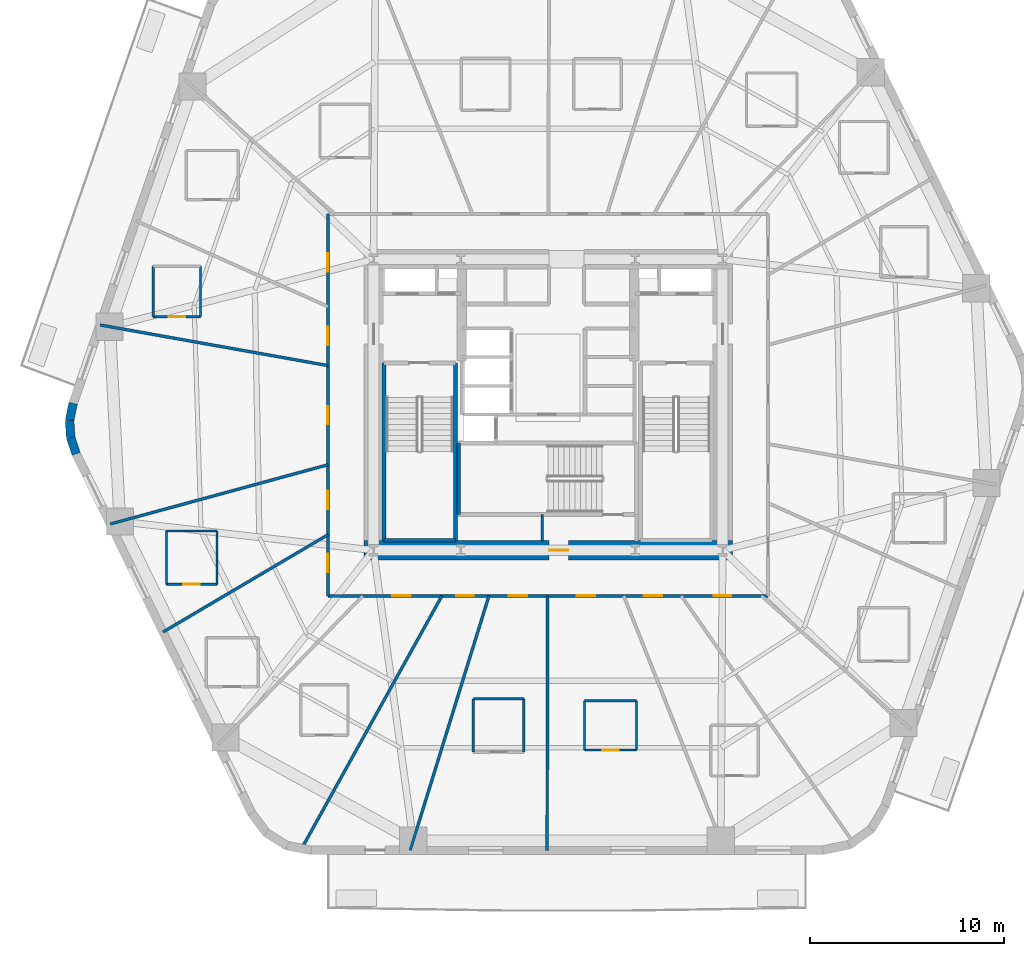
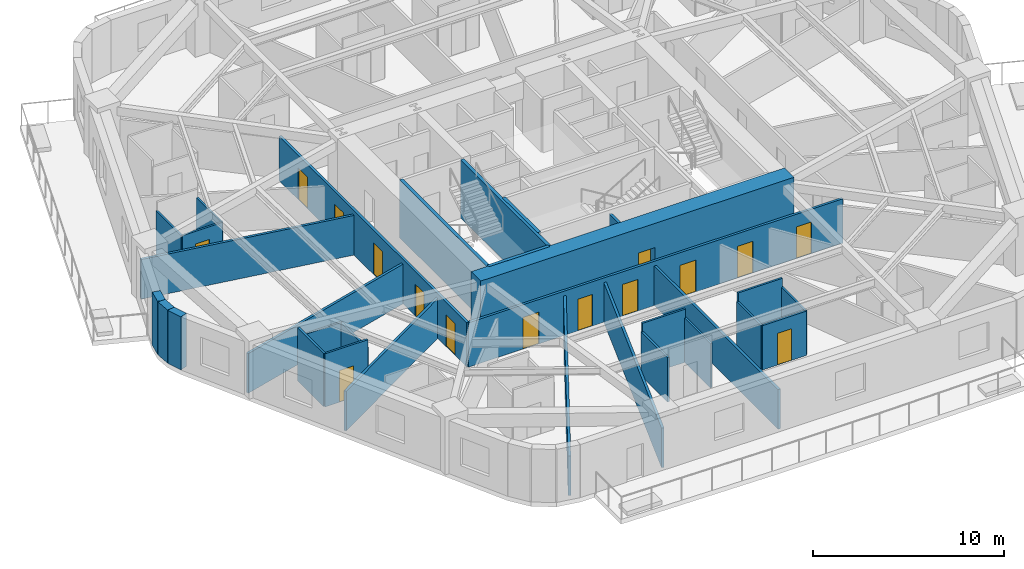
# One storey, part 3 of 11: 31 walls, 15 doors, 15 openings.
"""IFC4 building model written with IfcOpenShell, lengths in metres."""

import ifcopenshell
import ifcopenshell.guid

model = None  # the IFC model being written
_history = None  # IfcOwnerHistory: only IFC2X3 demands one
_inside = {}  # id of a spatial element -> (the spatial element, [elements in it])
_under = {}  # id of a project, library or spatial element -> (it, [spatial elements below it])
_declared = {}  # id of a project -> (the project, [libraries it declares])
_typed = {}  # id of a type object -> (the type object, [elements of that type])
_made_of = {}  # id of a material, layer set ... -> (it, [elements and type objects made of it])


def new_model(schema):
    """Start an empty IFC model of exactly this schema.

    Asked for "IFC4X3", IfcOpenShell would pick the latest addendum, in which some entities
    have other attributes; the version numbers below select the first issue.
    IFC2X3 requires an IfcOwnerHistory on every rooted entity: one is made here for all.
    """
    global model, _history
    if schema == "IFC4X3":
        model = ifcopenshell.file(schema_version=(4, 3, 0, 0))
    else:
        model = ifcopenshell.file(schema=schema)
    _inside.clear()
    _under.clear()
    _declared.clear()
    _typed.clear()
    _made_of.clear()
    _history = None
    if model.schema == "IFC2X3":
        org = make("IfcOrganization", Name="unknown")
        user = make(
            "IfcPersonAndOrganization",
            ThePerson=make("IfcPerson", FamilyName="unknown"),
            TheOrganization=org,
        )
        app = make(
            "IfcApplication",
            ApplicationDeveloper=org,
            Version="unknown",
            ApplicationFullName="unknown",
            ApplicationIdentifier="unknown",
        )
        _history = make(
            "IfcOwnerHistory",
            OwningUser=user,
            OwningApplication=app,
            ChangeAction="ADDED",
            CreationDate=0,
        )
    return model


def make(cls, **values):
    """One entity of the class cls with the attributes given. An attribute that is None is left unset."""
    return model.create_entity(
        cls, **{name: value for name, value in values.items() if value is not None}
    )


def rooted(cls, **values):
    """An entity with a GlobalId (a new one), such as an element, a storey or a relation."""
    return make(cls, GlobalId=ifcopenshell.guid.new(), OwnerHistory=_history, **values)


def si_unit(unit_type, name, prefix=None):
    """IfcSIUnit, for example si_unit("LENGTHUNIT", "METRE", prefix="MILLI")."""
    return make("IfcSIUnit", UnitType=unit_type, Prefix=prefix, Name=name)


def assignment(units):
    """IfcUnitAssignment: the units of a project."""
    return None if units is None else make("IfcUnitAssignment", Units=units)


def point(xyz):
    """IfcCartesianPoint."""
    return None if xyz is None else make("IfcCartesianPoint", Coordinates=xyz)


def direction(xyz):
    """IfcDirection."""
    return None if xyz is None else make("IfcDirection", DirectionRatios=xyz)


def frame(location, z_axis=None, x_axis=None):
    """IfcAxis2Placement3D, a coordinate frame: its origin and axes. An axis left out is left unset."""
    return make(
        "IfcAxis2Placement3D",
        Location=point(location),
        Axis=direction(z_axis),
        RefDirection=direction(x_axis),
    )


def frame_2d(location, x_axis=None):
    """IfcAxis2Placement2D, a coordinate frame in the plane: its origin and x axis."""
    return make(
        "IfcAxis2Placement2D", Location=point(location), RefDirection=direction(x_axis)
    )


def origin():
    """The frame at (0, 0, 0) with its axes left unset."""
    return frame((0.0, 0.0, 0.0))


def place(relative_to, where):
    """IfcLocalPlacement: puts the frame where relative to a parent placement (None: the world)."""
    return make(
        "IfcLocalPlacement", PlacementRelTo=relative_to, RelativePlacement=where
    )


def context(
    kind, dimensions, precision=None, world=None, true_north=None, identifier=None
):
    """IfcGeometricRepresentationContext, for example the 3D "Model" context."""
    return make(
        "IfcGeometricRepresentationContext",
        ContextIdentifier=identifier,
        ContextType=kind,
        CoordinateSpaceDimension=dimensions,
        Precision=precision,
        WorldCoordinateSystem=world,
        TrueNorth=true_north,
    )


def subcontext(parent, identifier, kind, view, scale=None):
    """IfcGeometricRepresentationSubContext, for example "Body" below "Model"."""
    return make(
        "IfcGeometricRepresentationSubContext",
        ContextIdentifier=identifier,
        ContextType=kind,
        ParentContext=parent,
        TargetScale=scale,
        TargetView=view,
    )


def project(units=None, contexts=None):
    """IfcProject with its units and contexts."""
    return rooted(
        "IfcProject",
        Name="project",
        RepresentationContexts=contexts,
        UnitsInContext=assignment(units),
    )


def spatial(cls, under=None, at=None, **own):
    """A site, building, storey or space (cls), placed at a placement, below another one or the project."""
    s = rooted(cls, ObjectPlacement=at, **own)
    if under is not None:
        _under.setdefault(under.id(), (under, []))[1].append(s)
    return s


def profile(cls, at=None, kind="AREA", **sizes):
    """A parametric profile (cls). Its sizes go by their IFC names, for example OverallWidth=200.0."""
    return make(cls, ProfileType=kind, Position=at, **sizes)


def rectangle(**sizes):
    """IfcRectangleProfileDef."""
    return profile("IfcRectangleProfileDef", **sizes)


def extrude(swept, where, along, depth):
    """IfcExtrudedAreaSolid: the profile swept, set in the frame where, extruded along a direction by depth."""
    return make(
        "IfcExtrudedAreaSolid",
        SweptArea=swept,
        Position=where,
        ExtrudedDirection=direction(along),
        Depth=depth,
    )


def shape(context_of_items, identifier, shape_type, items):
    """IfcShapeRepresentation: the items that make up one representation, for example the "Body"."""
    return make(
        "IfcShapeRepresentation",
        ContextOfItems=context_of_items,
        RepresentationIdentifier=identifier,
        RepresentationType=shape_type,
        Items=items,
    )


def material(Name=None, Category=None):
    """IfcMaterial."""
    return make("IfcMaterial", Name=Name, Category=Category)


def layer(
    of_material, thickness, ventilated=None, Name=None, Category=None, Priority=None
):
    """IfcMaterialLayer: one layer of a wall or slab, of a material (None: an air gap)."""
    return make(
        "IfcMaterialLayer",
        Material=of_material,
        LayerThickness=thickness,
        IsVentilated=ventilated,
        Name=Name,
        Category=Category,
        Priority=Priority,
    )


def layer_set(layers, Name=None):
    """IfcMaterialLayerSet."""
    return make("IfcMaterialLayerSet", MaterialLayers=layers, LayerSetName=Name)


def made_of(thing, what):
    """Note that an element or type object is made of a material, layer set ...; save() writes the relation."""
    if what is not None:
        _made_of.setdefault(what.id(), (what, []))[1].append(thing)
    return thing


def type_object(cls, material=None, **own):
    """A type object (cls), such as IfcWallType, which elements share."""
    return made_of(rooted(cls, **own), material)


def element(
    cls,
    number,
    at=None,
    inside=None,
    cuts=None,
    type_object=None,
    material=None,
    context=None,
    identifier="Body",
    shape_type=None,
    held_by="IfcProductDefinitionShape",
    body=None,
    shapes=None,
    **own,
):
    """One element of the class cls, such as IfcWall. Its Tag is "e" and its number.

    at: its placement. inside: the storey or other place that contains it. cuts: it is an
    opening in that element (IfcRelVoidsElement). A single representation is given by context,
    identifier, shape_type and body (its items); several are given by shapes. held_by: the class
    of the entity that holds the representations. save() writes the other relations.
    """
    e = rooted(cls, Tag="e%d" % number, ObjectPlacement=at, **own)
    if body is not None:
        shapes = [shape(context, identifier, shape_type, body)]
    if shapes is not None:
        e.Representation = make(held_by, Representations=shapes)
    if inside is not None:
        _inside.setdefault(inside.id(), (inside, []))[1].append(e)
    if cuts is not None:
        rooted(
            "IfcRelVoidsElement", RelatingBuildingElement=cuts, RelatedOpeningElement=e
        )
    if type_object is not None:
        _typed.setdefault(type_object.id(), (type_object, []))[1].append(e)
    return made_of(e, material)


def fill(opening, filler):
    """IfcRelFillsElement: the door or window that sits in an opening."""
    return rooted(
        "IfcRelFillsElement",
        RelatingOpeningElement=opening,
        RelatedBuildingElement=filler,
    )


def aggregate(whole, parts):
    """IfcRelAggregates: a whole, such as a stair, and the parts it consists of."""
    return rooted("IfcRelAggregates", RelatingObject=whole, RelatedObjects=parts)


def save(model, path):
    """Write the relations noted so far, then the file.

    IfcRelAggregates (storeys below a building ...), IfcRelContainedInSpatialStructure (elements
    in a storey), IfcRelDefinesByType, IfcRelAssociatesMaterial and IfcRelDeclares: one each for
    every whole, place, type object, material and project.
    """
    for whole, parts in _under.values():
        aggregate(whole, parts)
    for where, things in _inside.values():
        rooted(
            "IfcRelContainedInSpatialStructure",
            RelatedElements=things,
            RelatingStructure=where,
        )
    for kind, things in _typed.values():
        rooted("IfcRelDefinesByType", RelatedObjects=things, RelatingType=kind)
    for what, things in _made_of.values():
        rooted("IfcRelAssociatesMaterial", RelatedObjects=things, RelatingMaterial=what)
    for by, libraries in _declared.values():
        rooted("IfcRelDeclares", RelatingContext=by, RelatedDefinitions=libraries)
    model.write(path)


model = new_model("IFC4")

# Units and contexts
model_context = context("Model", 3, precision=1e-05, world=origin(), true_north=direction((0.0, 1.0)))
body_context = subcontext(model_context, "Body", "Model", "MODEL_VIEW")
ifc_project = project(units=[si_unit("LENGTHUNIT", "METRE"), si_unit("AREAUNIT", "SQUARE_METRE"), si_unit("VOLUMEUNIT", "CUBIC_METRE"), si_unit("PLANEANGLEUNIT", "RADIAN"), si_unit("MASSUNIT", "GRAM", prefix="KILO")], contexts=[model_context])

# Site, building, storey
site_placement = place(None, origin())
site = spatial("IfcSite", under=ifc_project, at=site_placement, CompositionType="ELEMENT")
building_placement = place(site_placement, origin())
building = spatial("IfcBuilding", under=site, at=building_placement, Name="Kilnhurst Terrace Hotel", CompositionType="ELEMENT")
storey_placement = place(building_placement, frame((0.0, 0.0, 37.89990234375)))
storey = spatial("IfcBuildingStorey", under=building, at=storey_placement, Name="L07", CompositionType="ELEMENT", Elevation=37.89990234375)

# Walls
ifc_material_1 = material(Name="Precast concrete C40/50", Category="concrete")
ifc_layer_1 = layer(ifc_material_1, 0.449951171875, Name="Precast concrete C40/50")
ifc_layer_set_1 = layer_set([ifc_layer_1], Name="Precast concrete C40/50")
wall_type_1 = type_object("IfcWallType", Name="WL-BRK-450", PredefinedType="SOLIDWALL", material=ifc_layer_set_1)
wall_1_placement = place(storey_placement, frame((-24.49560546875, 0.07666015625, 0.0), z_axis=(0.0, 0.0, 1.0), x_axis=(-0.199570594521, -0.979883451132, 0.0)))
element("IfcWall", 1, at=wall_1_placement, inside=storey, type_object=wall_type_1, Name="L07 Rounded Corner Brick Wall C6.1", PredefinedType="SOLIDWALL", context=body_context, shape_type="SweptSolid", body=[
    extrude(rectangle(XDim=0.896728515625, YDim=0.449951171875, at=frame_2d((0.4482421875, 0.0))), origin(), (0.0, 0.0, 1.0), 3.400146484375),
])
wall_2_placement = place(storey_placement, frame((-24.674560546875, -0.802001953125, 0.0), z_axis=(0.0, 0.0, 1.0), x_axis=(0.061188874166, -0.998126205286, 0.0)))
element("IfcWall", 2, at=wall_2_placement, inside=storey, type_object=wall_type_1, Name="L07 Rounded Corner Brick Wall C6.2", PredefinedType="SOLIDWALL", context=body_context, shape_type="SweptSolid", body=[
    extrude(rectangle(XDim=0.8818359375, YDim=0.449951171875, at=frame_2d((0.44091796875, 0.0))), origin(), (0.0, 0.0, 1.0), 3.400146484375),
])
wall_3_placement = place(storey_placement, frame((-24.62060546875, -1.68212890625, 0.0), z_axis=(0.0, 0.0, 1.0), x_axis=(0.317697451681, -0.948192137278, 0.0)))
element("IfcWall", 3, at=wall_3_placement, inside=storey, type_object=wall_type_1, Name="L07 Rounded Corner Brick Wall C6.3", PredefinedType="SOLIDWALL", context=body_context, shape_type="SweptSolid", body=[
    extrude(rectangle(XDim=0.896728515625, YDim=0.449951171875, at=frame_2d((0.4482421875, 0.0))), origin(), (0.0, 0.0, 1.0), 3.400146484375),
])

# Wall, openings, doors
ifc_material_2 = material(Name="Acoustic Double-Gypsum Corridor Partition Assembly")
ifc_layer_2 = layer(ifc_material_2, 0.14990234375, Name="Acoustic Double-Gypsum Corridor Partition Assembly")
ifc_layer_set_2 = layer_set([ifc_layer_2], Name="Acoustic Double-Gypsum Corridor Partition Assembly")
wall_type_2 = type_object("IfcWallType", Name="WL-COR-150", PredefinedType="PARTITIONING", material=ifc_layer_set_2)
wall_4_placement = place(storey_placement, frame((-11.35009765625, -9.85009765625, 0.0), z_axis=(0.0, 0.0, 1.0), x_axis=(0.0, 1.0, 0.0)))
wall_4 = element("IfcWall", 4, at=wall_4_placement, inside=storey, type_object=wall_type_2, Name="L07 Interior Wall WL-L07-COR-01", PredefinedType="PARTITIONING", context=body_context, shape_type="SweptSolid", body=[
    extrude(rectangle(XDim=19.7001953125, YDim=0.14990234375, at=frame_2d((9.85009765625, 0.0))), origin(), (0.0, 0.0, 1.0), 2.840087890625),
])
opening_1_placement = place(wall_4_placement, frame((16.714111328125, 0.0, 0.0)))
opening_1 = element("IfcOpeningElement", 5, at=opening_1_placement, cuts=wall_4, Name="Opening D-60B", PredefinedType="OPENING", context=body_context, shape_type="SweptSolid", body=[
    extrude(rectangle(XDim=0.949951171875, YDim=2.030029296875, at=frame_2d((0.47509765625, 1.01513671875))), frame((0.0, 0.0849609375, 0.0), z_axis=(0.0, -1.0, 0.0), x_axis=(1.0, 0.0, 0.0)), (0.0, 0.0, 1.0), 0.169921875),
])
opening_2_placement = place(wall_4_placement, frame((12.931884765625, 0.0, 0.0)))
opening_2 = element("IfcOpeningElement", 6, at=opening_2_placement, cuts=wall_4, Name="Opening D-60B", PredefinedType="OPENING", context=body_context, shape_type="SweptSolid", body=[
    extrude(rectangle(XDim=0.949951171875, YDim=2.030029296875, at=frame_2d((0.47509765625, 1.01513671875))), frame((0.0, 0.0849609375, 0.0), z_axis=(0.0, -1.0, 0.0), x_axis=(1.0, 0.0, 0.0)), (0.0, 0.0, 1.0), 0.169921875),
])
opening_3_placement = place(wall_4_placement, frame((8.837890625, 0.0, 0.0)))
opening_3 = element("IfcOpeningElement", 7, at=opening_3_placement, cuts=wall_4, Name="Opening D-60B", PredefinedType="OPENING", context=body_context, shape_type="SweptSolid", body=[
    extrude(rectangle(XDim=0.949951171875, YDim=2.030029296875, at=frame_2d((0.47509765625, 1.01513671875))), frame((0.0, 0.0849609375, 0.0), z_axis=(0.0, -1.0, 0.0), x_axis=(1.0, 0.0, 0.0)), (0.0, 0.0, 1.0), 0.169921875),
])
opening_4_placement = place(wall_4_placement, frame((4.4609375, 0.0, 0.0)))
opening_4 = element("IfcOpeningElement", 8, at=opening_4_placement, cuts=wall_4, Name="Opening D-60B", PredefinedType="OPENING", context=body_context, shape_type="SweptSolid", body=[
    extrude(rectangle(XDim=0.949951171875, YDim=2.030029296875, at=frame_2d((0.47509765625, 1.01513671875))), frame((0.0, 0.0849609375, 0.0), z_axis=(0.0, -1.0, 0.0), x_axis=(1.0, 0.0, 0.0)), (0.0, 0.0, 1.0), 0.169921875),
])
opening_5_placement = place(wall_4_placement, frame((1.220947265625, 0.0, 0.0)))
opening_5 = element("IfcOpeningElement", 9, at=opening_5_placement, cuts=wall_4, Name="Opening D-60B", PredefinedType="OPENING", context=body_context, shape_type="SweptSolid", body=[
    extrude(rectangle(XDim=0.949951171875, YDim=2.030029296875, at=frame_2d((0.47509765625, 1.01513671875))), frame((0.0, 0.0849609375, 0.0), z_axis=(0.0, -1.0, 0.0), x_axis=(1.0, 0.0, 0.0)), (0.0, 0.0, 1.0), 0.169921875),
])
ifc_material_3 = material(Name="Acoustic Walnut Veneer Solid-Core Fire Door")
door_type_1 = type_object("IfcDoorType", Name="DR-FD60-950", OperationType="NOTDEFINED", PredefinedType="DOOR", material=ifc_material_3)
door_1_placement = place(opening_1_placement, origin())
door_1 = element("IfcDoor", 10, at=door_1_placement, inside=storey, type_object=door_type_1, Name="L07 Guest Room Entry Door 8", OperationType="SINGLE_SWING_RIGHT", OverallHeight=2.030029296875, OverallWidth=0.949951171875, PredefinedType="DOOR", context=body_context, shape_type="SweptSolid", body=[
    extrude(rectangle(XDim=0.949951171875, YDim=2.030029296875, at=frame_2d((0.47509765625, 1.01513671875))), frame((0.0, 0.02490234375, 0.0), z_axis=(0.0, -1.0, 0.0), x_axis=(1.0, 0.0, 0.0)), (0.0, 0.0, 1.0), 0.050048828125),
])
fill(opening_1, door_1)
door_2_placement = place(opening_2_placement, origin())
door_2 = element("IfcDoor", 11, at=door_2_placement, inside=storey, type_object=door_type_1, Name="L07 Guest Room Entry Door 9", OperationType="SINGLE_SWING_LEFT", OverallHeight=2.030029296875, OverallWidth=0.949951171875, PredefinedType="DOOR", context=body_context, shape_type="SweptSolid", body=[
    extrude(rectangle(XDim=0.949951171875, YDim=2.030029296875, at=frame_2d((0.47509765625, 1.01513671875))), frame((0.0, 0.02490234375, 0.0), z_axis=(0.0, -1.0, 0.0), x_axis=(1.0, 0.0, 0.0)), (0.0, 0.0, 1.0), 0.050048828125),
])
fill(opening_2, door_2)
door_3_placement = place(opening_3_placement, origin())
door_3 = element("IfcDoor", 12, at=door_3_placement, inside=storey, type_object=door_type_1, Name="L07 Club Reading Lounge Door", OperationType="SINGLE_SWING_RIGHT", OverallHeight=2.030029296875, OverallWidth=0.949951171875, PredefinedType="DOOR", context=body_context, shape_type="SweptSolid", body=[
    extrude(rectangle(XDim=0.949951171875, YDim=2.030029296875, at=frame_2d((0.47509765625, 1.01513671875))), frame((0.0, 0.02490234375, 0.0), z_axis=(0.0, -1.0, 0.0), x_axis=(1.0, 0.0, 0.0)), (0.0, 0.0, 1.0), 0.050048828125),
])
fill(opening_3, door_3)
door_4_placement = place(opening_4_placement, origin())
door_4 = element("IfcDoor", 13, at=door_4_placement, inside=storey, type_object=door_type_1, Name="L07 Guest Room Entry Door 11", OperationType="SINGLE_SWING_LEFT", OverallHeight=2.030029296875, OverallWidth=0.949951171875, PredefinedType="DOOR", context=body_context, shape_type="SweptSolid", body=[
    extrude(rectangle(XDim=0.949951171875, YDim=2.030029296875, at=frame_2d((0.47509765625, 1.01513671875))), frame((0.0, 0.02490234375, 0.0), z_axis=(0.0, -1.0, 0.0), x_axis=(1.0, 0.0, 0.0)), (0.0, 0.0, 1.0), 0.050048828125),
])
fill(opening_4, door_4)
door_5_placement = place(opening_5_placement, origin())
door_5 = element("IfcDoor", 14, at=door_5_placement, inside=storey, type_object=door_type_1, Name="L07 Guest Room Entry Door 12", OperationType="SINGLE_SWING_RIGHT", OverallHeight=2.030029296875, OverallWidth=0.949951171875, PredefinedType="DOOR", context=body_context, shape_type="SweptSolid", body=[
    extrude(rectangle(XDim=0.949951171875, YDim=2.030029296875, at=frame_2d((0.47509765625, 1.01513671875))), frame((0.0, 0.02490234375, 0.0), z_axis=(0.0, -1.0, 0.0), x_axis=(1.0, 0.0, 0.0)), (0.0, 0.0, 1.0), 0.050048828125),
])
fill(opening_5, door_5)

wall_5_placement = place(storey_placement, frame((11.35009765625, -9.85009765625, 0.0), z_axis=(0.0, 0.0, 1.0), x_axis=(-1.0, 0.0, 0.0)))
wall_5 = element("IfcWall", 15, at=wall_5_placement, inside=storey, type_object=wall_type_2, Name="L07 Interior Wall WL-L07-COR-04", PredefinedType="PARTITIONING", context=body_context, shape_type="SweptSolid", body=[
    extrude(rectangle(XDim=22.7001953125, YDim=0.14990234375, at=frame_2d((11.35009765625, 0.0))), origin(), (0.0, 0.0, 1.0), 2.840087890625),
])
opening_6_placement = place(wall_5_placement, frame((18.43603515625, 0.0, 0.0)))
opening_6 = element("IfcOpeningElement", 16, at=opening_6_placement, cuts=wall_5, Name="Opening D-60B", PredefinedType="OPENING", context=body_context, shape_type="SweptSolid", body=[
    extrude(rectangle(XDim=0.949951171875, YDim=2.030029296875, at=frame_2d((0.47509765625, 1.01513671875))), frame((0.0, 0.0849609375, 0.0), z_axis=(0.0, -1.0, 0.0), x_axis=(1.0, 0.0, 0.0)), (0.0, 0.0, 1.0), 0.169921875),
])
opening_7_placement = place(wall_5_placement, frame((15.176025390625, 0.0, 0.0)))
opening_7 = element("IfcOpeningElement", 17, at=opening_7_placement, cuts=wall_5, Name="Opening D-60C", PredefinedType="OPENING", context=body_context, shape_type="SweptSolid", body=[
    extrude(rectangle(XDim=0.89990234375, YDim=2.030029296875, at=frame_2d((0.449951171875, 1.01513671875))), frame((0.0, 0.0849609375, 0.0), z_axis=(0.0, -1.0, 0.0), x_axis=(1.0, 0.0, 0.0)), (0.0, 0.0, 1.0), 0.169921875),
])
opening_8_placement = place(wall_5_placement, frame((12.4150390625, 0.0, 0.0)))
opening_8 = element("IfcOpeningElement", 18, at=opening_8_placement, cuts=wall_5, Name="Opening D-60B", PredefinedType="OPENING", context=body_context, shape_type="SweptSolid", body=[
    extrude(rectangle(XDim=0.949951171875, YDim=2.030029296875, at=frame_2d((0.47509765625, 1.01513671875))), frame((0.0, 0.0849609375, 0.0), z_axis=(0.0, -1.0, 0.0), x_axis=(1.0, 0.0, 0.0)), (0.0, 0.0, 1.0), 0.169921875),
])
opening_9_placement = place(wall_5_placement, frame((8.925048828125, 0.0, 0.0)))
opening_9 = element("IfcOpeningElement", 19, at=opening_9_placement, cuts=wall_5, Name="Opening D-60B", PredefinedType="OPENING", context=body_context, shape_type="SweptSolid", body=[
    extrude(rectangle(XDim=0.949951171875, YDim=2.030029296875, at=frame_2d((0.47509765625, 1.01513671875))), frame((0.0, 0.0849609375, 0.0), z_axis=(0.0, -1.0, 0.0), x_axis=(1.0, 0.0, 0.0)), (0.0, 0.0, 1.0), 0.169921875),
])
opening_10_placement = place(wall_5_placement, frame((5.462890625, 0.0, 0.0)))
opening_10 = element("IfcOpeningElement", 20, at=opening_10_placement, cuts=wall_5, Name="Opening D-60B", PredefinedType="OPENING", context=body_context, shape_type="SweptSolid", body=[
    extrude(rectangle(XDim=0.949951171875, YDim=2.030029296875, at=frame_2d((0.47509765625, 1.01513671875))), frame((0.0, 0.0849609375, 0.0), z_axis=(0.0, -1.0, 0.0), x_axis=(1.0, 0.0, 0.0)), (0.0, 0.0, 1.0), 0.169921875),
])
opening_11_placement = place(wall_5_placement, frame((1.909912109375, 0.0, 0.0)))
opening_11 = element("IfcOpeningElement", 21, at=opening_11_placement, cuts=wall_5, Name="Opening D-60C", PredefinedType="OPENING", context=body_context, shape_type="SweptSolid", body=[
    extrude(rectangle(XDim=0.89990234375, YDim=2.030029296875, at=frame_2d((0.449951171875, 1.01513671875))), frame((0.0, 0.0849609375, 0.0), z_axis=(0.0, -1.0, 0.0), x_axis=(1.0, 0.0, 0.0)), (0.0, 0.0, 1.0), 0.169921875),
])
ifc_material_4 = material(Name="Painted Solid-Core Service Fire Door")
door_type_2 = type_object("IfcDoorType", Name="DR-FD60-900", OperationType="NOTDEFINED", PredefinedType="DOOR", material=ifc_material_4)
door_6_placement = place(opening_7_placement, origin())
door_6 = element("IfcDoor", 22, at=door_6_placement, inside=storey, type_object=door_type_2, Name="L07 Executive Work Office Door 14", OperationType="SINGLE_SWING_RIGHT", OverallHeight=2.030029296875, OverallWidth=0.89990234375, PredefinedType="DOOR", context=body_context, shape_type="SweptSolid", body=[
    extrude(rectangle(XDim=0.89990234375, YDim=2.030029296875, at=frame_2d((0.449951171875, 1.01513671875))), frame((0.0, 0.02490234375, 0.0), z_axis=(0.0, -1.0, 0.0), x_axis=(1.0, 0.0, 0.0)), (0.0, 0.0, 1.0), 0.050048828125),
])
fill(opening_7, door_6)
door_7_placement = place(opening_11_placement, origin())
door_7 = element("IfcDoor", 23, at=door_7_placement, inside=storey, type_object=door_type_2, Name="L07 Botanical Reading Lounge Door 18", OperationType="SINGLE_SWING_RIGHT", OverallHeight=2.030029296875, OverallWidth=0.89990234375, PredefinedType="DOOR", context=body_context, shape_type="SweptSolid", body=[
    extrude(rectangle(XDim=0.89990234375, YDim=2.030029296875, at=frame_2d((0.449951171875, 1.01513671875))), frame((0.0, 0.02490234375, 0.0), z_axis=(0.0, -1.0, 0.0), x_axis=(1.0, 0.0, 0.0)), (0.0, 0.0, 1.0), 0.050048828125),
])
fill(opening_11, door_7)
door_8_placement = place(opening_6_placement, origin())
door_8 = element("IfcDoor", 24, at=door_8_placement, inside=storey, type_object=door_type_1, Name="L07 Guest Room Entry Door 13", OperationType="SINGLE_SWING_LEFT", OverallHeight=2.030029296875, OverallWidth=0.949951171875, PredefinedType="DOOR", context=body_context, shape_type="SweptSolid", body=[
    extrude(rectangle(XDim=0.949951171875, YDim=2.030029296875, at=frame_2d((0.47509765625, 1.01513671875))), frame((0.0, 0.02490234375, 0.0), z_axis=(0.0, -1.0, 0.0), x_axis=(1.0, 0.0, 0.0)), (0.0, 0.0, 1.0), 0.050048828125),
])
fill(opening_6, door_8)
door_9_placement = place(opening_8_placement, origin())
door_9 = element("IfcDoor", 25, at=door_9_placement, inside=storey, type_object=door_type_1, Name="L07 Guest Room Entry Door 15", OperationType="SINGLE_SWING_LEFT", OverallHeight=2.030029296875, OverallWidth=0.949951171875, PredefinedType="DOOR", context=body_context, shape_type="SweptSolid", body=[
    extrude(rectangle(XDim=0.949951171875, YDim=2.030029296875, at=frame_2d((0.47509765625, 1.01513671875))), frame((0.0, 0.02490234375, 0.0), z_axis=(0.0, -1.0, 0.0), x_axis=(1.0, 0.0, 0.0)), (0.0, 0.0, 1.0), 0.050048828125),
])
fill(opening_8, door_9)
door_10_placement = place(opening_9_placement, origin())
door_10 = element("IfcDoor", 26, at=door_10_placement, inside=storey, type_object=door_type_1, Name="L07 Executive Suite Entry Door 16", OperationType="SINGLE_SWING_RIGHT", OverallHeight=2.030029296875, OverallWidth=0.949951171875, PredefinedType="DOOR", context=body_context, shape_type="SweptSolid", body=[
    extrude(rectangle(XDim=0.949951171875, YDim=2.030029296875, at=frame_2d((0.47509765625, 1.01513671875))), frame((0.0, 0.02490234375, 0.0), z_axis=(0.0, -1.0, 0.0), x_axis=(1.0, 0.0, 0.0)), (0.0, 0.0, 1.0), 0.050048828125),
])
fill(opening_9, door_10)
door_11_placement = place(opening_10_placement, origin())
door_11 = element("IfcDoor", 27, at=door_11_placement, inside=storey, type_object=door_type_1, Name="L07 Guest Room Entry Door 17", OperationType="SINGLE_SWING_LEFT", OverallHeight=2.030029296875, OverallWidth=0.949951171875, PredefinedType="DOOR", context=body_context, shape_type="SweptSolid", body=[
    extrude(rectangle(XDim=0.949951171875, YDim=2.030029296875, at=frame_2d((0.47509765625, 1.01513671875))), frame((0.0, 0.02490234375, 0.0), z_axis=(0.0, -1.0, 0.0), x_axis=(1.0, 0.0, 0.0)), (0.0, 0.0, 1.0), 0.050048828125),
])
fill(opening_10, door_11)

# Wall, opening, door
ifc_material_5 = material(Name="Concrete C80/95", Category="concrete")
ifc_layer_3 = layer(ifc_material_5, 1.0, Name="Concrete C80/95")
ifc_layer_set_3 = layer_set([ifc_layer_3], Name="Concrete C80/95")
wall_type_3 = type_object("IfcWallType", Name="WL-CORE-1000", PredefinedType="SHEAR", material=ifc_layer_set_3)
wall_6_placement = place(storey_placement, frame((-9.5, -7.5, 0.0), z_axis=(0.0, 0.0, 1.0), x_axis=(1.0, 0.0, 0.0)))
wall_6 = element("IfcWall", 28, at=wall_6_placement, inside=storey, type_object=wall_type_3, Name="L07 Core South Shear Wall", PredefinedType="SHEAR", context=body_context, shape_type="SweptSolid", body=[
    extrude(rectangle(XDim=19.0, YDim=1.0, at=frame_2d((9.5, 0.0))), origin(), (0.0, 0.0, 1.0), 3.7001953125),
])
opening_12_placement = place(wall_6_placement, frame((9.550048828125, 0.0, 0.0)))
opening_12 = element("IfcOpeningElement", 29, at=opening_12_placement, cuts=wall_6, Name="Opening D-90B", PredefinedType="OPENING", context=body_context, shape_type="SweptSolid", body=[
    extrude(rectangle(XDim=1.0, YDim=2.14990234375, at=frame_2d((0.5, 1.074951171875))), frame((0.0, 0.510009765625, 0.0), z_axis=(0.0, -1.0, 0.0), x_axis=(1.0, 0.0, 0.0)), (0.0, 0.0, 1.0), 1.02001953125),
])
ifc_material_6 = material(Name="Painted Hollow Metal Steel ASTM A36 Fire Door", Category="steel")
door_type_3 = type_object("IfcDoorType", Name="DR-FD90-1000", OperationType="NOTDEFINED", PredefinedType="DOOR", material=ifc_material_6)
door_12_placement = place(opening_12_placement, origin())
door_12 = element("IfcDoor", 30, at=door_12_placement, inside=storey, type_object=door_type_3, Name="L07 Stair ST-3 Corridor Door", OperationType="SINGLE_SWING_RIGHT", OverallHeight=2.14990234375, OverallWidth=1.0, PredefinedType="DOOR", context=body_context, shape_type="SweptSolid", body=[
    extrude(rectangle(XDim=1.0, YDim=2.14990234375, at=frame_2d((0.5, 1.074951171875))), frame((0.0, 0.02490234375, 0.0), z_axis=(0.0, -1.0, 0.0), x_axis=(1.0, 0.0, 0.0)), (0.0, 0.0, 1.0), 0.050048828125),
])
fill(opening_12, door_12)

# Walls
ifc_material_7 = material(Name="STC-58 Acoustic Twin-Frame Guestroom Demising Partition")
ifc_layer_4 = layer(ifc_material_7, 0.14990234375, Name="STC-58 Acoustic Twin-Frame Guestroom Demising Partition")
ifc_layer_set_4 = layer_set([ifc_layer_4], Name="STC-58 Acoustic Twin-Frame Guestroom Demising Partition")
wall_type_4 = type_object("IfcWallType", Name="WL-DEM-150", PredefinedType="PARTITIONING", material=ifc_layer_set_4)
wall_7_placement = place(storey_placement, frame((-11.35009765625, 2.022705078125, 0.0), z_axis=(0.0, 0.0, 1.0), x_axis=(-0.984493741877, 0.17541970301, 0.0)))
element("IfcWall", 31, at=wall_7_placement, inside=storey, type_object=wall_type_4, Name="L07 Interior Wall WL-L07-DEM-COL06-10-1", PredefinedType="PARTITIONING", context=body_context, shape_type="SweptSolid", body=[
    extrude(rectangle(XDim=11.93701171875, YDim=0.14990234375, at=frame_2d((5.968505859375, 0.0))), origin(), (0.0, 0.0, 1.0), 2.5400390625),
])
wall_8_placement = place(storey_placement, frame((-11.35009765625, -3.0908203125, 0.0), z_axis=(0.0, 0.0, 1.0), x_axis=(-0.964859685283, -0.262765651704, 0.0)))
element("IfcWall", 32, at=wall_8_placement, inside=storey, type_object=wall_type_4, Name="L07 Interior Wall WL-L07-DEM-COL07-11-1", PredefinedType="PARTITIONING", context=body_context, shape_type="SweptSolid", body=[
    extrude(rectangle(XDim=11.62890625, YDim=0.14990234375, at=frame_2d((5.814453125, 0.0))), origin(), (0.0, 0.0, 1.0), 2.5400390625),
])
wall_9_placement = place(storey_placement, frame((-11.35009765625, -6.698486328125, 0.0), z_axis=(0.0, 0.0, 1.0), x_axis=(-0.861198232886, -0.508269223614, 0.0)))
element("IfcWall", 33, at=wall_9_placement, inside=storey, type_object=wall_type_4, Name="L07 Interior Wall WL-L07-DEM-MID07-12-1", PredefinedType="PARTITIONING", context=body_context, shape_type="SweptSolid", body=[
    extrude(rectangle(XDim=9.869873046875, YDim=0.14990234375, at=frame_2d((4.93505859375, 0.0))), origin(), (0.0, 0.0, 1.0), 2.5400390625),
])
wall_10_placement = place(storey_placement, frame((-5.470703125, -9.85009765625, 0.0), z_axis=(0.0, 0.0, 1.0), x_axis=(-0.48553323157, -0.874218211341, 0.0)))
element("IfcWall", 34, at=wall_10_placement, inside=storey, type_object=wall_type_4, Name="L07 Interior Wall WL-L07-DEM-MID08-14-1", PredefinedType="PARTITIONING", context=body_context, shape_type="SweptSolid", body=[
    extrude(rectangle(XDim=14.739501953125, YDim=0.14990234375, at=frame_2d((7.36962890625, 0.0))), origin(), (0.0, 0.0, 1.0), 2.5400390625),
])
wall_11_placement = place(storey_placement, frame((-3.047607421875, -9.85009765625, 0.0), z_axis=(0.0, 0.0, 1.0), x_axis=(-0.295553992761, -0.955326037206, 0.0)))
element("IfcWall", 35, at=wall_11_placement, inside=storey, type_object=wall_type_4, Name="L07 Interior Wall WL-L07-DEM-COL09-15-1", PredefinedType="PARTITIONING", context=body_context, shape_type="SweptSolid", body=[
    extrude(rectangle(XDim=13.73876953125, YDim=0.14990234375, at=frame_2d((6.869384765625, 0.0))), origin(), (0.0, 0.0, 1.0), 2.5400390625),
])
wall_12_placement = place(storey_placement, frame((-0.0205078125, -9.85009765625, 0.0), z_axis=(0.0, 0.0, 1.0), x_axis=(-0.002064727742, -0.999997868447, 0.0)))
element("IfcWall", 36, at=wall_12_placement, inside=storey, type_object=wall_type_4, Name="L07 Interior Wall WL-L07-DEM-MID09-16-1", PredefinedType="PARTITIONING", context=body_context, shape_type="SweptSolid", body=[
    extrude(rectangle(XDim=13.125, YDim=0.14990234375, at=frame_2d((6.5625, 0.0))), origin(), (0.0, 0.0, 1.0), 2.5400390625),
])

# Wall, opening, door
ifc_material_8 = material(Name="120 mm Moisture-Resistant Tile-Backed Bathroom Partition")
ifc_layer_5 = layer(ifc_material_8, 0.1201171875, Name="120 mm Moisture-Resistant Tile-Backed Bathroom Partition")
ifc_layer_set_5 = layer_set([ifc_layer_5], Name="120 mm Moisture-Resistant Tile-Backed Bathroom Partition")
wall_type_5 = type_object("IfcWallType", Name="WL-PART-120", PredefinedType="PARTITIONING", material=ifc_layer_set_5)
wall_13_placement = place(storey_placement, frame((-20.368896484375, 4.5439453125, 0.0), z_axis=(0.0, 0.0, 1.0), x_axis=(1.0, 0.0, 0.0)))
wall_13 = element("IfcWall", 37, at=wall_13_placement, inside=storey, type_object=wall_type_5, Name="L07 Interior Wall WL-L07-BTH-09-1", PredefinedType="PARTITIONING", context=body_context, shape_type="SweptSolid", body=[
    extrude(rectangle(XDim=2.43994140625, YDim=0.1201171875, at=frame_2d((1.219970703125, 0.0))), origin(), (0.0, 0.0, 1.0), 2.840087890625),
])
opening_13_placement = place(wall_13_placement, frame((0.794921875, 0.0, 0.0)))
opening_13 = element("IfcOpeningElement", 38, at=opening_13_placement, cuts=wall_13, Name="Opening D-08A", PredefinedType="OPENING", context=body_context, shape_type="SweptSolid", body=[
    extrude(rectangle(XDim=0.85009765625, YDim=2.030029296875, at=frame_2d((0.425048828125, 1.01513671875))), frame((0.0, 0.070068359375, 0.0), z_axis=(0.0, -1.0, 0.0), x_axis=(1.0, 0.0, 0.0)), (0.0, 0.0, 1.0), 0.14013671875),
])
ifc_material_9 = material(Name="Moisture-Resistant Lacquered En-suite Bathroom Door")
door_type_4 = type_object("IfcDoorType", Name="DR-INT-850", OperationType="NOTDEFINED", PredefinedType="DOOR", material=ifc_material_9)
door_13_placement = place(opening_13_placement, origin())
door_13 = element("IfcDoor", 39, at=door_13_placement, inside=storey, type_object=door_type_4, Name="L07 En-suite Bathroom Door 9", OperationType="SINGLE_SWING_RIGHT", OverallHeight=2.030029296875, OverallWidth=0.85009765625, PredefinedType="DOOR", context=body_context, shape_type="SweptSolid", body=[
    extrude(rectangle(XDim=0.85009765625, YDim=2.030029296875, at=frame_2d((0.425048828125, 1.01513671875))), frame((0.0, 0.02490234375, 0.0), z_axis=(0.0, -1.0, 0.0), x_axis=(1.0, 0.0, 0.0)), (0.0, 0.0, 1.0), 0.050048828125),
])
fill(opening_13, door_13)

# Walls
for number, where, z_axis, x_axis, name in (
    (40, (-17.928955078125, 4.5439453125, 0.0), (0.0, 0.0, 1.0), (0.0, 1.0, 0.0), "L07 Interior Wall WL-L07-BTH-09-2"),
    (41, (-20.368896484375, 7.154052734375, 0.0), (0.0, 0.0, 1.0), (0.0, -1.0, 0.0), "L07 Interior Wall WL-L07-BTH-09-4"),
):
    element("IfcWall", number, at=place(storey_placement, frame(where, z_axis=z_axis, x_axis=x_axis)), inside=storey, type_object=wall_type_5, Name=name, PredefinedType="PARTITIONING", context=body_context, shape_type="SweptSolid", body=[
        extrude(rectangle(XDim=2.610107421875, YDim=0.1201171875, at=frame_2d((1.30517578125, 0.0))), origin(), (0.0, 0.0, 1.0), 2.840087890625),
    ])

# Wall, opening, door
wall_14_placement = place(storey_placement, frame((-19.677978515625, -9.2548828125, 0.0), z_axis=(0.0, 0.0, 1.0), x_axis=(1.0, 0.0, 0.0)))
wall_14 = element("IfcWall", 42, at=wall_14_placement, inside=storey, type_object=wall_type_5, Name="L07 Interior Wall WL-L07-BTH-11-1", PredefinedType="PARTITIONING", context=body_context, shape_type="SweptSolid", body=[
    extrude(rectangle(XDim=2.60009765625, YDim=0.1201171875, at=frame_2d((1.300048828125, 0.0))), origin(), (0.0, 0.0, 1.0), 3.400146484375),
])
opening_14_placement = place(wall_14_placement, frame((0.875, 0.0, 0.0)))
opening_14 = element("IfcOpeningElement", 43, at=opening_14_placement, cuts=wall_14, Name="Opening D-08A", PredefinedType="OPENING", context=body_context, shape_type="SweptSolid", body=[
    extrude(rectangle(XDim=0.85009765625, YDim=2.030029296875, at=frame_2d((0.425048828125, 1.01513671875))), frame((0.0, 0.070068359375, 0.0), z_axis=(0.0, -1.0, 0.0), x_axis=(1.0, 0.0, 0.0)), (0.0, 0.0, 1.0), 0.14013671875),
])
door_14_placement = place(opening_14_placement, origin())
door_14 = element("IfcDoor", 44, at=door_14_placement, inside=storey, type_object=door_type_4, Name="L07 En-suite Bathroom Door 11", OperationType="SINGLE_SWING_RIGHT", OverallHeight=2.030029296875, OverallWidth=0.85009765625, PredefinedType="DOOR", context=body_context, shape_type="SweptSolid", body=[
    extrude(rectangle(XDim=0.85009765625, YDim=2.030029296875, at=frame_2d((0.425048828125, 1.01513671875))), frame((0.0, 0.02490234375, 0.0), z_axis=(0.0, -1.0, 0.0), x_axis=(1.0, 0.0, 0.0)), (0.0, 0.0, 1.0), 0.050048828125),
])
fill(opening_14, door_14)

# Walls
wall_15_placement = place(storey_placement, frame((-17.077880859375, -9.2548828125, 0.0), z_axis=(0.0, 0.0, 1.0), x_axis=(0.0, 1.0, 0.0)))
element("IfcWall", 45, at=wall_15_placement, inside=storey, type_object=wall_type_5, Name="L07 Interior Wall WL-L07-BTH-11-2", PredefinedType="PARTITIONING", context=body_context, shape_type="SweptSolid", body=[
    extrude(rectangle(XDim=2.75, YDim=0.1201171875, at=frame_2d((1.375, 0.0))), origin(), (0.0, 0.0, 1.0), 2.840087890625),
])
wall_16_placement = place(storey_placement, frame((-17.077880859375, -6.5048828125, 0.0), z_axis=(0.0, 0.0, 1.0), x_axis=(-1.0, 0.0, 0.0)))
element("IfcWall", 46, at=wall_16_placement, inside=storey, type_object=wall_type_5, Name="L07 Interior Wall WL-L07-BTH-11-3", PredefinedType="PARTITIONING", context=body_context, shape_type="SweptSolid", body=[
    extrude(rectangle(XDim=2.60009765625, YDim=0.1201171875, at=frame_2d((1.300048828125, 0.0))), origin(), (0.0, 0.0, 1.0), 2.840087890625),
])
wall_17_placement = place(storey_placement, frame((-19.677978515625, -6.5048828125, 0.0), z_axis=(0.0, 0.0, 1.0), x_axis=(0.0, -1.0, 0.0)))
element("IfcWall", 47, at=wall_17_placement, inside=storey, type_object=wall_type_5, Name="L07 Interior Wall WL-L07-BTH-11-4", PredefinedType="PARTITIONING", context=body_context, shape_type="SweptSolid", body=[
    extrude(rectangle(XDim=2.75, YDim=0.1201171875, at=frame_2d((1.375, 0.0))), origin(), (0.0, 0.0, 1.0), 3.400146484375),
])
wall_18_placement = place(storey_placement, frame((-1.2509765625, -17.912109375, 0.0), z_axis=(0.0, 0.0, 1.0), x_axis=(0.0, 1.0, 0.0)))
element("IfcWall", 48, at=wall_18_placement, inside=storey, type_object=wall_type_5, Name="L07 Interior Wall WL-L07-BTH-15-2", PredefinedType="PARTITIONING", context=body_context, shape_type="SweptSolid", body=[
    extrude(rectangle(XDim=2.75, YDim=0.1201171875, at=frame_2d((1.375, 0.0))), origin(), (0.0, 0.0, 1.0), 2.840576171875),
])
wall_19_placement = place(storey_placement, frame((-1.2509765625, -15.162109375, 0.0), z_axis=(0.0, 0.0, 1.0), x_axis=(-1.0, 0.0, 0.0)))
element("IfcWall", 49, at=wall_19_placement, inside=storey, type_object=wall_type_5, Name="L07 Interior Wall WL-L07-BTH-15-3", PredefinedType="PARTITIONING", context=body_context, shape_type="SweptSolid", body=[
    extrude(rectangle(XDim=2.60009765625, YDim=0.1201171875, at=frame_2d((1.300048828125, 0.0))), origin(), (0.0, 0.0, 1.0), 3.400146484375),
])
wall_20_placement = place(storey_placement, frame((-3.85107421875, -15.162109375, 0.0), z_axis=(0.0, 0.0, 1.0), x_axis=(0.0, -1.0, 0.0)))
element("IfcWall", 50, at=wall_20_placement, inside=storey, type_object=wall_type_5, Name="L07 Interior Wall WL-L07-BTH-15-4", PredefinedType="PARTITIONING", context=body_context, shape_type="SweptSolid", body=[
    extrude(rectangle(XDim=2.75, YDim=0.1201171875, at=frame_2d((1.375, 0.0))), origin(), (0.0, 0.0, 1.0), 2.840576171875),
])

# Wall, opening, door
wall_21_placement = place(storey_placement, frame((1.87890625, -17.806884765625, 0.0), z_axis=(0.0, 0.0, 1.0), x_axis=(1.0, 0.0, 0.0)))
wall_21 = element("IfcWall", 51, at=wall_21_placement, inside=storey, type_object=wall_type_5, Name="L07 Interior Wall WL-L07-BTH-16-1", PredefinedType="PARTITIONING", context=body_context, shape_type="SweptSolid", body=[
    extrude(rectangle(XDim=2.68017578125, YDim=0.1201171875, at=frame_2d((1.340087890625, 0.0))), origin(), (0.0, 0.0, 1.0), 2.840576171875),
])
opening_15_placement = place(wall_21_placement, frame((0.9150390625, 0.0, 0.0)))
opening_15 = element("IfcOpeningElement", 52, at=opening_15_placement, cuts=wall_21, Name="Opening D-08A", PredefinedType="OPENING", context=body_context, shape_type="SweptSolid", body=[
    extrude(rectangle(XDim=0.85009765625, YDim=2.030029296875, at=frame_2d((0.425048828125, 1.01513671875))), frame((0.0, 0.070068359375, 0.0), z_axis=(0.0, -1.0, 0.0), x_axis=(1.0, 0.0, 0.0)), (0.0, 0.0, 1.0), 0.14013671875),
])
door_15_placement = place(opening_15_placement, origin())
door_15 = element("IfcDoor", 53, at=door_15_placement, inside=storey, type_object=door_type_4, Name="L07 En-suite Bathroom Door 16", OperationType="SINGLE_SWING_LEFT", OverallHeight=2.030029296875, OverallWidth=0.85009765625, PredefinedType="DOOR", context=body_context, shape_type="SweptSolid", body=[
    extrude(rectangle(XDim=0.85009765625, YDim=2.030029296875, at=frame_2d((0.425048828125, 1.01513671875))), frame((0.0, 0.02490234375, 0.0), z_axis=(0.0, -1.0, 0.0), x_axis=(1.0, 0.0, 0.0)), (0.0, 0.0, 1.0), 0.050048828125),
])
fill(opening_15, door_15)

# Walls
wall_22_placement = place(storey_placement, frame((4.55908203125, -17.806884765625, 0.0), z_axis=(0.0, 0.0, 1.0), x_axis=(0.0, 1.0, 0.0)))
element("IfcWall", 54, at=wall_22_placement, inside=storey, type_object=wall_type_5, Name="L07 Interior Wall WL-L07-BTH-16-2", PredefinedType="PARTITIONING", context=body_context, shape_type="SweptSolid", body=[
    extrude(rectangle(XDim=2.539794921875, YDim=0.1201171875, at=frame_2d((1.27001953125, 0.0))), origin(), (0.0, 0.0, 1.0), 2.840576171875),
])
wall_23_placement = place(storey_placement, frame((4.55908203125, -15.26708984375, 0.0), z_axis=(0.0, 0.0, 1.0), x_axis=(-1.0, 0.0, 0.0)))
element("IfcWall", 55, at=wall_23_placement, inside=storey, type_object=wall_type_5, Name="L07 Interior Wall WL-L07-BTH-16-3", PredefinedType="PARTITIONING", context=body_context, shape_type="SweptSolid", body=[
    extrude(rectangle(XDim=2.68017578125, YDim=0.1201171875, at=frame_2d((1.340087890625, 0.0))), origin(), (0.0, 0.0, 1.0), 3.400146484375),
])
wall_24_placement = place(storey_placement, frame((1.87890625, -15.26708984375, 0.0), z_axis=(0.0, 0.0, 1.0), x_axis=(0.0, -1.0, 0.0)))
element("IfcWall", 56, at=wall_24_placement, inside=storey, type_object=wall_type_5, Name="L07 Interior Wall WL-L07-BTH-16-4", PredefinedType="PARTITIONING", context=body_context, shape_type="SweptSolid", body=[
    extrude(rectangle(XDim=2.539794921875, YDim=0.1201171875, at=frame_2d((1.27001953125, 0.0))), origin(), (0.0, 0.0, 1.0), 2.840576171875),
])
ifc_material_10 = material(Name="Fire-Rated Gypsum Shaftliner Assembly")
ifc_layer_6 = layer(ifc_material_10, 0.14990234375, Name="Fire-Rated Gypsum Shaftliner Assembly")
ifc_layer_set_6 = layer_set([ifc_layer_6], Name="Fire-Rated Gypsum Shaftliner Assembly")
wall_type_6 = type_object("IfcWallType", Name="WL-SHAFT-150", PredefinedType="PARTITIONING", material=ifc_layer_set_6)
wall_25_placement = place(storey_placement, frame((-0.300048828125, -7.02001953125, 0.0), z_axis=(0.0, 0.0, 1.0), x_axis=(0.0, 1.0, 0.0)))
element("IfcWall", 57, at=wall_25_placement, inside=storey, type_object=wall_type_6, Name="L07 Interior Wall WL-L07-ST3-PSGW", PredefinedType="PARTITIONING", context=body_context, shape_type="SweptSolid", body=[
    extrude(rectangle(XDim=1.362060546875, YDim=0.14990234375, at=frame_2d((0.68115234375, 0.0))), origin(), (0.0, 0.0, 1.0), 3.400146484375),
])
ifc_material_11 = material(Name="Concrete C50/60", Category="concrete")
ifc_layer_7 = layer(ifc_material_11, 0.199951171875, Name="Concrete C50/60")
ifc_layer_set_7 = layer_set([ifc_layer_7], Name="Concrete C50/60")
wall_type_7 = type_object("IfcWallType", Name="WL-STAIR-RC-200", PredefinedType="SHEAR", material=ifc_layer_set_7)
for number, where, z_axis, x_axis, name in (
    (58, (-8.4580078125, -6.985107421875, 0.0), (0.0, 0.0, 1.0), (0.0, 1.0, 0.0), "L07 Structural Stair Shaft Wall WL-L07-ST1-W"),
    (59, (-4.77197265625, -6.985107421875, 0.0), (0.0, 0.0, 1.0), (0.0, 1.0, 0.0), "L07 Structural Stair Shaft Wall WL-L07-ST1-E"),
):
    element("IfcWall", number, at=place(storey_placement, frame(where, z_axis=z_axis, x_axis=x_axis)), inside=storey, type_object=wall_type_7, Name=name, PredefinedType="SHEAR", context=body_context, shape_type="SweptSolid", body=[
        extrude(rectangle(XDim=9.14306640625, YDim=0.199951171875, at=frame_2d((4.571533203125, 0.0))), origin(), (0.0, 0.0, 1.0), 3.7001953125),
    ])
for number, where, z_axis, x_axis, name in (
    (60, (-8.4580078125, -6.985107421875, 0.0), (0.0, 0.0, 1.0), (1.0, 0.0, 0.0), "L07 Structural Stair Shaft Wall WL-L07-ST1-S"),
    (61, (-4.60791015625, -5.657958984375, 0.0), (0.0, 0.0, 1.0), (0.0, 1.0, 0.0), "L07 Structural Stair Shaft Wall WL-L07-ST3-W"),
):
    element("IfcWall", number, at=place(storey_placement, frame(where, z_axis=z_axis, x_axis=x_axis)), inside=storey, type_object=wall_type_7, Name=name, PredefinedType="SHEAR", context=body_context, shape_type="SweptSolid", body=[
        extrude(rectangle(XDim=3.68603515625, YDim=0.199951171875, at=frame_2d((1.843017578125, 0.0))), origin(), (0.0, 0.0, 1.0), 3.7001953125),
    ])

save(model, "model.ifc")
